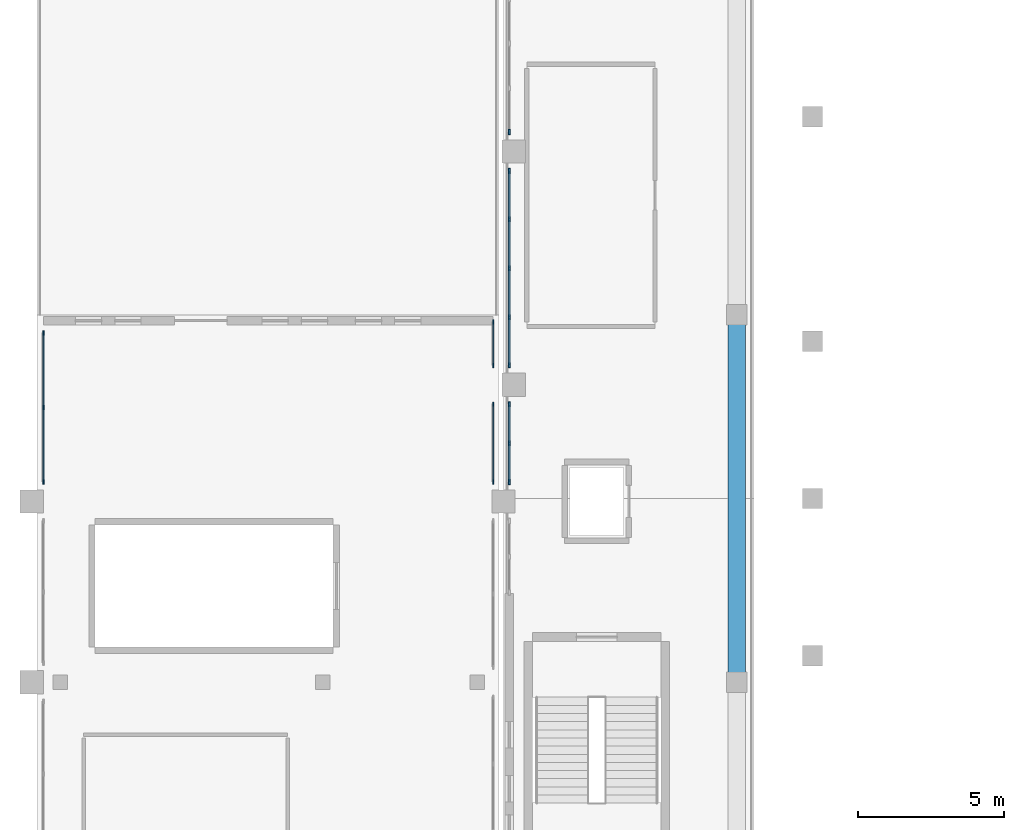
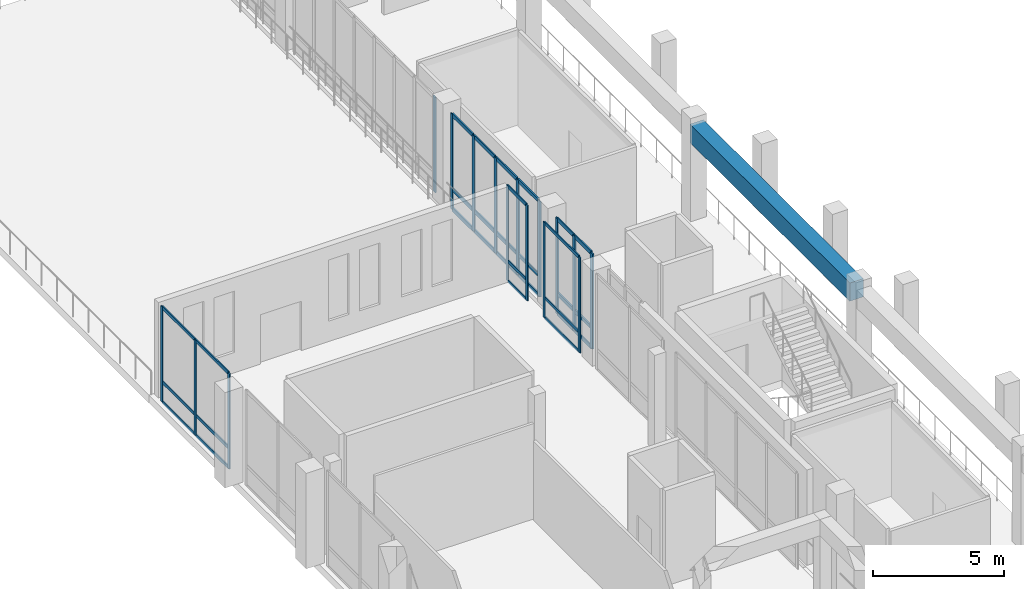
# One storey, part 22 of 79: 46 members, 1 beam, 6 elements without a shape of their own.
"""IFC4 building model written with IfcOpenShell, lengths in metres."""

from ifc_helpers import new_model, si_unit, derived_unit, direction, frame, origin, origin_2d, place, context, subcontext, project, spatial, rectangle, extrude, material, layer, layer_set, material_profile, profile_set, type_object, element, aggregate, save


model = new_model("IFC4")

# Units and contexts
model_context = context("Model", 3, precision=1e-05, world=origin(), true_north=direction((0.0, 1.0)))
body_context = subcontext(model_context, "Body", "Model", "MODEL_VIEW")
ifc_project = project(units=[si_unit("LENGTHUNIT", "METRE"), si_unit("AREAUNIT", "SQUARE_METRE"), si_unit("VOLUMEUNIT", "CUBIC_METRE"), si_unit("PLANEANGLEUNIT", "RADIAN"), si_unit("MASSUNIT", "GRAM", prefix="KILO"), derived_unit("THERMALTRANSMITTANCEUNIT", [(si_unit("MASSUNIT", "GRAM", prefix="KILO"), 1), (si_unit("TIMEUNIT", "SECOND"), -3), (si_unit("THERMODYNAMICTEMPERATUREUNIT", "KELVIN"), -1)])], contexts=[model_context])

# Site, building, storey
site_placement = place(None, origin())
site = spatial("IfcSite", under=ifc_project, at=site_placement, CompositionType="ELEMENT")
building_placement = place(site_placement, origin())
building = spatial("IfcBuilding", under=site, at=building_placement, Name="Valcora Ridge Arena", CompositionType="ELEMENT")
storey_placement = place(building_placement, frame((0.0, 0.0, 16.199951171875)))
storey = spatial("IfcBuildingStorey", under=building, at=storey_placement, Name="L03", CompositionType="ELEMENT", Elevation=16.199951171875)

# Beam
ifc_material_1 = material(Name="Concrete C40/50", Category="concrete")
ifc_material_profile_1 = material_profile(ifc_material_1, rectangle(XDim=0.60009765625, YDim=0.85009765625, at=origin_2d()), Name="RC 600x850")
ifc_profile_set_1 = profile_set([ifc_material_profile_1], Name="Concrete C40/50")
beam_type = type_object("IfcBeamType", Name="TY-BEAM-B-RC600-Y", PredefinedType="BEAM", material=ifc_profile_set_1)
beam_placement = place(storey_placement, frame((24.0, 58.0, 4.01513671875), z_axis=(0.0, 1.0, 0.0), x_axis=(-1.0, 0.0, 0.0)))
element("IfcBeam", 1, at=beam_placement, inside=storey, type_object=beam_type, Name="B-RC600-Y BEM-B-RC600-Y-0023", PredefinedType="BEAM", context=body_context, shape_type="SweptSolid", body=[
    extrude(rectangle(XDim=0.60009765625, YDim=0.85009765625, at=origin_2d()), origin(), (0.0, 0.0, 1.0), 12.199951171875),
])

# Curtain wall, members
ifc_material_2 = material(Name="Anodised dark bronze architectural aluminium 6063-T6", Category="aluminium")
ifc_layer_1 = layer(ifc_material_2, 0.14990234375, Name="Anodised dark bronze architectural aluminium 6063-T6")
ifc_layer_set_1 = layer_set([ifc_layer_1], Name="Anodised dark bronze architectural aluminium 6063-T6")
curtain_wall_type_1 = type_object("IfcCurtainWallType", Name="TY-CURTAINWALL-CW-V4-CLUB-052X44", PredefinedType="NOTDEFINED", material=ifc_layer_set_1)
curtain_wall_1_placement = place(storey_placement, origin())
curtain_wall_1 = element("IfcCurtainWall", 2, at=curtain_wall_1_placement, inside=storey, type_object=curtain_wall_type_1, Name="CW-V4-CLUB-052X44 CW-0292", PredefinedType="NOTDEFINED")
ifc_material_profile_2 = material_profile(ifc_material_2, rectangle(XDim=0.050048828125, YDim=0.14990234375, at=origin_2d()), Name="ALU MULLION 50x150")
ifc_profile_set_2 = profile_set([ifc_material_profile_2], Name="Anodised dark bronze architectural aluminium 6063-T6")
member_type_1 = type_object("IfcMemberType", Name="TY-MEM-CWM-50x150", PredefinedType="MULLION", material=ifc_profile_set_2)
member_1_placement = place(storey_placement, frame((0.219970703125, 64.6650390625, 0.0), z_axis=(0.0, 0.0, 1.0), x_axis=(-1.0, 0.0, 0.0)))
member_1 = element("IfcMember", 3, at=member_1_placement, type_object=member_type_1, Name="CW-0292/CWM-50x150/M00", PredefinedType="MULLION", context=body_context, shape_type="SweptSolid", body=[
    extrude(rectangle(XDim=0.050048828125, YDim=0.14990234375, at=origin_2d()), origin(), (0.0, 0.0, 1.0), 4.43994140625),
])
member_2_placement = place(storey_placement, frame((0.219970703125, 67.219970703125, 0.0), z_axis=(0.0, 0.0, 1.0), x_axis=(-1.0, 0.0, 0.0)))
member_2 = element("IfcMember", 4, at=member_2_placement, type_object=member_type_1, Name="CW-0292/CWM-50x150/M01", PredefinedType="MULLION", context=body_context, shape_type="SweptSolid", body=[
    extrude(rectangle(XDim=0.050048828125, YDim=0.14990234375, at=origin_2d()), origin(), (0.0, 0.0, 1.0), 4.43994140625),
])
member_3_placement = place(storey_placement, frame((0.219970703125, 69.77490234375, 0.0), z_axis=(0.0, 0.0, 1.0), x_axis=(-1.0, 0.0, 0.0)))
member_3 = element("IfcMember", 5, at=member_3_placement, type_object=member_type_1, Name="CW-0292/CWM-50x150/M02", PredefinedType="MULLION", context=body_context, shape_type="SweptSolid", body=[
    extrude(rectangle(XDim=0.050048828125, YDim=0.14990234375, at=origin_2d()), origin(), (0.0, 0.0, 1.0), 4.43994140625),
])

ifc_layer_2 = layer(ifc_material_2, 0.14990234375, Name="Anodised dark bronze architectural aluminium 6063-T6")
ifc_layer_set_2 = layer_set([ifc_layer_2], Name="Anodised dark bronze architectural aluminium 6063-T6")
curtain_wall_type_2 = type_object("IfcCurtainWallType", Name="TY-CURTAINWALL-CW-V4-CLUB-027X44", PredefinedType="NOTDEFINED", material=ifc_layer_set_2)
curtain_wall_2_placement = place(storey_placement, origin())
curtain_wall_2 = element("IfcCurtainWall", 6, at=curtain_wall_2_placement, inside=storey, type_object=curtain_wall_type_2, Name="CW-V4-CLUB-027X44 CW-0295", PredefinedType="NOTDEFINED")
member_4_placement = place(storey_placement, frame((15.64990234375, 64.6650390625, 0.0), z_axis=(0.0, 0.0, 1.0), x_axis=(-1.0, 0.0, 0.0)))
member_4 = element("IfcMember", 7, at=member_4_placement, type_object=member_type_1, Name="CW-0295/CWM-50x150/M00", PredefinedType="MULLION", context=body_context, shape_type="SweptSolid", body=[
    extrude(rectangle(XDim=0.050048828125, YDim=0.14990234375, at=origin_2d()), origin(), (0.0, 0.0, 1.0), 4.43994140625),
])
member_5_placement = place(storey_placement, frame((15.64990234375, 67.3349609375, 0.0), z_axis=(0.0, 0.0, 1.0), x_axis=(-1.0, 0.0, 0.0)))
member_5 = element("IfcMember", 8, at=member_5_placement, type_object=member_type_1, Name="CW-0295/CWM-50x150/M01", PredefinedType="MULLION", context=body_context, shape_type="SweptSolid", body=[
    extrude(rectangle(XDim=0.050048828125, YDim=0.14990234375, at=origin_2d()), origin(), (0.0, 0.0, 1.0), 4.43994140625),
])

ifc_layer_3 = layer(ifc_material_2, 0.14990234375, Name="Anodised dark bronze architectural aluminium 6063-T6")
ifc_layer_set_3 = layer_set([ifc_layer_3], Name="Anodised dark bronze architectural aluminium 6063-T6")
curtain_wall_type_3 = type_object("IfcCurtainWallType", Name="TY-CURTAINWALL-CW-V4-CLUB-015X44", PredefinedType="NOTDEFINED", material=ifc_layer_set_3)
curtain_wall_3_placement = place(storey_placement, origin())
curtain_wall_3 = element("IfcCurtainWall", 9, at=curtain_wall_3_placement, inside=storey, type_object=curtain_wall_type_3, Name="CW-V4-CLUB-015X44 CW-0296", PredefinedType="NOTDEFINED")
member_6_placement = place(storey_placement, frame((15.64990234375, 68.6650390625, 0.0), z_axis=(0.0, 0.0, 1.0), x_axis=(-1.0, 0.0, 0.0)))
member_6 = element("IfcMember", 10, at=member_6_placement, type_object=member_type_1, Name="CW-0296/CWM-50x150/M00", PredefinedType="MULLION", context=body_context, shape_type="SweptSolid", body=[
    extrude(rectangle(XDim=0.050048828125, YDim=0.14990234375, at=origin_2d()), origin(), (0.0, 0.0, 1.0), 4.43994140625),
])
member_7_placement = place(storey_placement, frame((15.64990234375, 70.155029296875, 0.0), z_axis=(0.0, 0.0, 1.0), x_axis=(-1.0, 0.0, 0.0)))
member_7 = element("IfcMember", 11, at=member_7_placement, type_object=member_type_1, Name="CW-0296/CWM-50x150/M01", PredefinedType="MULLION", context=body_context, shape_type="SweptSolid", body=[
    extrude(rectangle(XDim=0.050048828125, YDim=0.14990234375, at=origin_2d()), origin(), (0.0, 0.0, 1.0), 4.43994140625),
])

ifc_layer_4 = layer(ifc_material_2, 0.179931640625, Name="Anodised dark bronze architectural aluminium 6063-T6")
ifc_layer_set_4 = layer_set([ifc_layer_4], Name="Anodised dark bronze architectural aluminium 6063-T6")
curtain_wall_type_4 = type_object("IfcCurtainWallType", Name="TY-CURTAINWALL-CW-V1-GOTH-027X44", PredefinedType="NOTDEFINED", material=ifc_layer_set_4)
curtain_wall_4_placement = place(storey_placement, origin())
curtain_wall_4 = element("IfcCurtainWall", 12, at=curtain_wall_4_placement, inside=storey, type_object=curtain_wall_type_4, Name="CW-V1-GOTH-027X44 CW-0132", PredefinedType="NOTDEFINED")
ifc_material_profile_3 = material_profile(ifc_material_2, rectangle(XDim=0.06005859375, YDim=0.179931640625, at=origin_2d()), Name="ALU MULLION 60x180")
ifc_profile_set_3 = profile_set([ifc_material_profile_3], Name="Anodised dark bronze architectural aluminium 6063-T6")
member_type_2 = type_object("IfcMemberType", Name="TY-MEM-CWM-60x180", PredefinedType="MULLION", material=ifc_profile_set_3)
member_8_placement = place(storey_placement, frame((16.199951171875, 64.669921875, 0.0), z_axis=(0.0, 0.0, 1.0), x_axis=(-1.0, 0.0, 0.0)))
member_8 = element("IfcMember", 13, at=member_8_placement, type_object=member_type_2, Name="CW-0132/CWM-60x180/M00", PredefinedType="MULLION", context=body_context, shape_type="SweptSolid", body=[
    extrude(rectangle(XDim=0.06005859375, YDim=0.179931640625, at=origin_2d()), origin(), (0.0, 0.0, 1.0), 4.43994140625),
])
member_9_placement = place(storey_placement, frame((16.199951171875, 66.0, 0.0), z_axis=(0.0, 0.0, 1.0), x_axis=(-1.0, 0.0, 0.0)))
member_9 = element("IfcMember", 14, at=member_9_placement, type_object=member_type_2, Name="CW-0132/CWM-60x180/M01", PredefinedType="MULLION", context=body_context, shape_type="SweptSolid", body=[
    extrude(rectangle(XDim=0.06005859375, YDim=0.179931640625, at=origin_2d()), origin(), (0.0, 0.0, 1.0), 4.43994140625),
])
member_10_placement = place(storey_placement, frame((16.199951171875, 67.330078125, 0.0), z_axis=(0.0, 0.0, 1.0), x_axis=(-1.0, 0.0, 0.0)))
member_10 = element("IfcMember", 15, at=member_10_placement, type_object=member_type_2, Name="CW-0132/CWM-60x180/M02", PredefinedType="MULLION", context=body_context, shape_type="SweptSolid", body=[
    extrude(rectangle(XDim=0.06005859375, YDim=0.179931640625, at=origin_2d()), origin(), (0.0, 0.0, 1.0), 4.43994140625),
])

ifc_layer_5 = layer(ifc_material_2, 0.179931640625, Name="Anodised dark bronze architectural aluminium 6063-T6")
ifc_layer_set_5 = layer_set([ifc_layer_5], Name="Anodised dark bronze architectural aluminium 6063-T6")
curtain_wall_type_5 = type_object("IfcCurtainWallType", Name="TY-CURTAINWALL-CW-V1-GOTH-067X44", PredefinedType="NOTDEFINED", material=ifc_layer_set_5)
curtain_wall_5_placement = place(storey_placement, origin())
curtain_wall_5 = element("IfcCurtainWall", 16, at=curtain_wall_5_placement, inside=storey, type_object=curtain_wall_type_5, Name="CW-V1-GOTH-067X44 CW-0133", PredefinedType="NOTDEFINED")
member_11_placement = place(storey_placement, frame((16.199951171875, 68.669921875, 0.0), z_axis=(0.0, 0.0, 1.0), x_axis=(-1.0, 0.0, 0.0)))
member_11 = element("IfcMember", 17, at=member_11_placement, type_object=member_type_2, Name="CW-0133/CWM-60x180/M00", PredefinedType="MULLION", context=body_context, shape_type="SweptSolid", body=[
    extrude(rectangle(XDim=0.06005859375, YDim=0.179931640625, at=origin_2d()), origin(), (0.0, 0.0, 1.0), 4.43994140625),
])
member_12_placement = place(storey_placement, frame((16.199951171875, 70.320068359375, 0.0), z_axis=(0.0, 0.0, 1.0), x_axis=(-1.0, 0.0, 0.0)))
member_12 = element("IfcMember", 18, at=member_12_placement, type_object=member_type_2, Name="CW-0133/CWM-60x180/M01", PredefinedType="MULLION", context=body_context, shape_type="SweptSolid", body=[
    extrude(rectangle(XDim=0.06005859375, YDim=0.179931640625, at=origin_2d()), origin(), (0.0, 0.0, 1.0), 4.43994140625),
])
member_13_placement = place(storey_placement, frame((16.199951171875, 72.0, 0.0), z_axis=(0.0, 0.0, 1.0), x_axis=(-1.0, 0.0, 0.0)))
member_13 = element("IfcMember", 19, at=member_13_placement, type_object=member_type_2, Name="CW-0133/CWM-60x180/M02", PredefinedType="MULLION", context=body_context, shape_type="SweptSolid", body=[
    extrude(rectangle(XDim=0.06005859375, YDim=0.179931640625, at=origin_2d()), origin(), (0.0, 0.0, 1.0), 4.43994140625),
])
member_14_placement = place(storey_placement, frame((16.199951171875, 73.679931640625, 0.0), z_axis=(0.0, 0.0, 1.0), x_axis=(-1.0, 0.0, 0.0)))
member_14 = element("IfcMember", 20, at=member_14_placement, type_object=member_type_2, Name="CW-0133/CWM-60x180/M03", PredefinedType="MULLION", context=body_context, shape_type="SweptSolid", body=[
    extrude(rectangle(XDim=0.06005859375, YDim=0.179931640625, at=origin_2d()), origin(), (0.0, 0.0, 1.0), 4.43994140625),
])
member_15_placement = place(storey_placement, frame((16.199951171875, 75.330078125, 0.0), z_axis=(0.0, 0.0, 1.0), x_axis=(-1.0, 0.0, 0.0)))
member_15 = element("IfcMember", 21, at=member_15_placement, type_object=member_type_2, Name="CW-0133/CWM-60x180/M04", PredefinedType="MULLION", context=body_context, shape_type="SweptSolid", body=[
    extrude(rectangle(XDim=0.06005859375, YDim=0.179931640625, at=origin_2d()), origin(), (0.0, 0.0, 1.0), 4.43994140625),
])

# Curtain wall, member
ifc_layer_6 = layer(ifc_material_2, 0.179931640625, Name="Anodised dark bronze architectural aluminium 6063-T6")
ifc_layer_set_6 = layer_set([ifc_layer_6], Name="Anodised dark bronze architectural aluminium 6063-T6")
curtain_wall_type_6 = type_object("IfcCurtainWallType", Name="TY-CURTAINWALL-CW-V1-GOTH-107X44", PredefinedType="NOTDEFINED", material=ifc_layer_set_6)
curtain_wall_6_placement = place(storey_placement, origin())
curtain_wall_6 = element("IfcCurtainWall", 22, at=curtain_wall_6_placement, inside=storey, type_object=curtain_wall_type_6, Name="CW-V1-GOTH-107X44 CW-0134", PredefinedType="NOTDEFINED")
member_16_placement = place(storey_placement, frame((16.199951171875, 76.669921875, 0.0), z_axis=(0.0, 0.0, 1.0), x_axis=(-1.0, 0.0, 0.0)))
member_16 = element("IfcMember", 23, at=member_16_placement, type_object=member_type_2, Name="CW-0134/CWM-60x180/M00", PredefinedType="MULLION", context=body_context, shape_type="SweptSolid", body=[
    extrude(rectangle(XDim=0.06005859375, YDim=0.179931640625, at=origin_2d()), origin(), (0.0, 0.0, 1.0), 4.43994140625),
])
aggregate(curtain_wall_6, [member_16])

# Member
ifc_material_profile_4 = material_profile(ifc_material_2, rectangle(XDim=0.050048828125, YDim=0.14990234375, at=origin_2d()), Name="ALU TRANSOM 50x150")
ifc_profile_set_4 = profile_set([ifc_material_profile_4], Name="Anodised dark bronze architectural aluminium 6063-T6")
member_type_3 = type_object("IfcMemberType", Name="TY-MEM-CWT-50x150", PredefinedType="USERDEFINED", material=ifc_profile_set_4)
member_17_placement = place(storey_placement, frame((0.219970703125, 64.68994140625, 0.025146484375), z_axis=(0.0, 1.0, 0.0), x_axis=(-1.0, 0.0, 0.0)))
member_17 = element("IfcMember", 24, at=member_17_placement, type_object=member_type_3, Name="CW-0292/CWT-50x150/T00-00", ObjectType="TRANSOM", PredefinedType="USERDEFINED", context=body_context, shape_type="SweptSolid", body=[
    extrude(rectangle(XDim=0.050048828125, YDim=0.14990234375, at=origin_2d()), origin(), (0.0, 0.0, 1.0), 2.505126953125),
])

member_18_placement = place(storey_placement, frame((0.219970703125, 64.68994140625, 0.949951171875), z_axis=(0.0, 1.0, 0.0), x_axis=(-1.0, 0.0, 0.0)))
member_18 = element("IfcMember", 25, at=member_18_placement, type_object=member_type_3, Name="CW-0292/CWT-50x150/T00-01", ObjectType="TRANSOM", PredefinedType="USERDEFINED", context=body_context, shape_type="SweptSolid", body=[
    extrude(rectangle(XDim=0.050048828125, YDim=0.14990234375, at=origin_2d()), origin(), (0.0, 0.0, 1.0), 2.505126953125),
])

member_19_placement = place(storey_placement, frame((0.219970703125, 64.68994140625, 4.4150390625), z_axis=(0.0, 1.0, 0.0), x_axis=(-1.0, 0.0, 0.0)))
member_19 = element("IfcMember", 26, at=member_19_placement, type_object=member_type_3, Name="CW-0292/CWT-50x150/T00-02", ObjectType="TRANSOM", PredefinedType="USERDEFINED", context=body_context, shape_type="SweptSolid", body=[
    extrude(rectangle(XDim=0.050048828125, YDim=0.14990234375, at=origin_2d()), origin(), (0.0, 0.0, 1.0), 2.505126953125),
])

member_20_placement = place(storey_placement, frame((0.219970703125, 67.2451171875, 0.025146484375), z_axis=(0.0, 1.0, 0.0), x_axis=(-1.0, 0.0, 0.0)))
member_20 = element("IfcMember", 27, at=member_20_placement, type_object=member_type_3, Name="CW-0292/CWT-50x150/T01-00", ObjectType="TRANSOM", PredefinedType="USERDEFINED", context=body_context, shape_type="SweptSolid", body=[
    extrude(rectangle(XDim=0.050048828125, YDim=0.14990234375, at=origin_2d()), origin(), (0.0, 0.0, 1.0), 2.5048828125),
])

member_21_placement = place(storey_placement, frame((0.219970703125, 67.2451171875, 0.949951171875), z_axis=(0.0, 1.0, 0.0), x_axis=(-1.0, 0.0, 0.0)))
member_21 = element("IfcMember", 28, at=member_21_placement, type_object=member_type_3, Name="CW-0292/CWT-50x150/T01-01", ObjectType="TRANSOM", PredefinedType="USERDEFINED", context=body_context, shape_type="SweptSolid", body=[
    extrude(rectangle(XDim=0.050048828125, YDim=0.14990234375, at=origin_2d()), origin(), (0.0, 0.0, 1.0), 2.5048828125),
])

member_22_placement = place(storey_placement, frame((0.219970703125, 67.2451171875, 4.4150390625), z_axis=(0.0, 1.0, 0.0), x_axis=(-1.0, 0.0, 0.0)))
member_22 = element("IfcMember", 29, at=member_22_placement, type_object=member_type_3, Name="CW-0292/CWT-50x150/T01-02", ObjectType="TRANSOM", PredefinedType="USERDEFINED", context=body_context, shape_type="SweptSolid", body=[
    extrude(rectangle(XDim=0.050048828125, YDim=0.14990234375, at=origin_2d()), origin(), (0.0, 0.0, 1.0), 2.5048828125),
])

aggregate(curtain_wall_1, [member_1, member_2, member_3, member_17, member_18, member_19, member_20, member_21, member_22])

member_23_placement = place(storey_placement, frame((15.64990234375, 64.68994140625, 0.025146484375), z_axis=(0.0, 1.0, 0.0), x_axis=(-1.0, 0.0, 0.0)))
member_23 = element("IfcMember", 30, at=member_23_placement, type_object=member_type_3, Name="CW-0295/CWT-50x150/T00-00", ObjectType="TRANSOM", PredefinedType="USERDEFINED", context=body_context, shape_type="SweptSolid", body=[
    extrude(rectangle(XDim=0.050048828125, YDim=0.14990234375, at=origin_2d()), origin(), (0.0, 0.0, 1.0), 2.6201171875),
])

member_24_placement = place(storey_placement, frame((15.64990234375, 64.68994140625, 0.949951171875), z_axis=(0.0, 1.0, 0.0), x_axis=(-1.0, 0.0, 0.0)))
member_24 = element("IfcMember", 31, at=member_24_placement, type_object=member_type_3, Name="CW-0295/CWT-50x150/T00-01", ObjectType="TRANSOM", PredefinedType="USERDEFINED", context=body_context, shape_type="SweptSolid", body=[
    extrude(rectangle(XDim=0.050048828125, YDim=0.14990234375, at=origin_2d()), origin(), (0.0, 0.0, 1.0), 2.6201171875),
])

member_25_placement = place(storey_placement, frame((15.64990234375, 64.68994140625, 4.4150390625), z_axis=(0.0, 1.0, 0.0), x_axis=(-1.0, 0.0, 0.0)))
member_25 = element("IfcMember", 32, at=member_25_placement, type_object=member_type_3, Name="CW-0295/CWT-50x150/T00-02", ObjectType="TRANSOM", PredefinedType="USERDEFINED", context=body_context, shape_type="SweptSolid", body=[
    extrude(rectangle(XDim=0.050048828125, YDim=0.14990234375, at=origin_2d()), origin(), (0.0, 0.0, 1.0), 2.6201171875),
])

aggregate(curtain_wall_2, [member_4, member_5, member_23, member_24, member_25])

member_26_placement = place(storey_placement, frame((15.64990234375, 68.68994140625, 0.025146484375), z_axis=(0.0, 1.0, 0.0), x_axis=(-1.0, 0.0, 0.0)))
member_26 = element("IfcMember", 33, at=member_26_placement, type_object=member_type_3, Name="CW-0296/CWT-50x150/T00-00", ObjectType="TRANSOM", PredefinedType="USERDEFINED", context=body_context, shape_type="SweptSolid", body=[
    extrude(rectangle(XDim=0.050048828125, YDim=0.14990234375, at=origin_2d()), origin(), (0.0, 0.0, 1.0), 1.43994140625),
])

member_27_placement = place(storey_placement, frame((15.64990234375, 68.68994140625, 0.949951171875), z_axis=(0.0, 1.0, 0.0), x_axis=(-1.0, 0.0, 0.0)))
member_27 = element("IfcMember", 34, at=member_27_placement, type_object=member_type_3, Name="CW-0296/CWT-50x150/T00-01", ObjectType="TRANSOM", PredefinedType="USERDEFINED", context=body_context, shape_type="SweptSolid", body=[
    extrude(rectangle(XDim=0.050048828125, YDim=0.14990234375, at=origin_2d()), origin(), (0.0, 0.0, 1.0), 1.43994140625),
])

member_28_placement = place(storey_placement, frame((15.64990234375, 68.68994140625, 4.4150390625), z_axis=(0.0, 1.0, 0.0), x_axis=(-1.0, 0.0, 0.0)))
member_28 = element("IfcMember", 35, at=member_28_placement, type_object=member_type_3, Name="CW-0296/CWT-50x150/T00-02", ObjectType="TRANSOM", PredefinedType="USERDEFINED", context=body_context, shape_type="SweptSolid", body=[
    extrude(rectangle(XDim=0.050048828125, YDim=0.14990234375, at=origin_2d()), origin(), (0.0, 0.0, 1.0), 1.43994140625),
])

aggregate(curtain_wall_3, [member_6, member_7, member_26, member_27, member_28])

ifc_material_profile_5 = material_profile(ifc_material_2, rectangle(XDim=0.06005859375, YDim=0.179931640625, at=origin_2d()), Name="ALU TRANSOM 60x180")
ifc_profile_set_5 = profile_set([ifc_material_profile_5], Name="Anodised dark bronze architectural aluminium 6063-T6")
member_type_4 = type_object("IfcMemberType", Name="TY-MEM-CWT-60x180", PredefinedType="USERDEFINED", material=ifc_profile_set_5)
member_29_placement = place(storey_placement, frame((16.199951171875, 64.699951171875, 0.030029296875), z_axis=(0.0, 1.0, 0.0), x_axis=(-1.0, 0.0, 0.0)))
member_29 = element("IfcMember", 36, at=member_29_placement, type_object=member_type_4, Name="CW-0132/CWT-60x180/T00-00", ObjectType="TRANSOM", PredefinedType="USERDEFINED", context=body_context, shape_type="SweptSolid", body=[
    extrude(rectangle(XDim=0.06005859375, YDim=0.179931640625, at=origin_2d()), origin(), (0.0, 0.0, 1.0), 1.27001953125),
])

member_30_placement = place(storey_placement, frame((16.199951171875, 64.699951171875, 0.949951171875), z_axis=(0.0, 1.0, 0.0), x_axis=(-1.0, 0.0, 0.0)))
member_30 = element("IfcMember", 37, at=member_30_placement, type_object=member_type_4, Name="CW-0132/CWT-60x180/T00-01", ObjectType="TRANSOM", PredefinedType="USERDEFINED", context=body_context, shape_type="SweptSolid", body=[
    extrude(rectangle(XDim=0.06005859375, YDim=0.179931640625, at=origin_2d()), origin(), (0.0, 0.0, 1.0), 1.27001953125),
])

member_31_placement = place(storey_placement, frame((16.199951171875, 64.699951171875, 4.41015625), z_axis=(0.0, 1.0, 0.0), x_axis=(-1.0, 0.0, 0.0)))
member_31 = element("IfcMember", 38, at=member_31_placement, type_object=member_type_4, Name="CW-0132/CWT-60x180/T00-02", ObjectType="TRANSOM", PredefinedType="USERDEFINED", context=body_context, shape_type="SweptSolid", body=[
    extrude(rectangle(XDim=0.06005859375, YDim=0.179931640625, at=origin_2d()), origin(), (0.0, 0.0, 1.0), 1.27001953125),
])

member_32_placement = place(storey_placement, frame((16.199951171875, 66.030029296875, 0.030029296875), z_axis=(0.0, 1.0, 0.0), x_axis=(-1.0, 0.0, 0.0)))
member_32 = element("IfcMember", 39, at=member_32_placement, type_object=member_type_4, Name="CW-0132/CWT-60x180/T01-00", ObjectType="TRANSOM", PredefinedType="USERDEFINED", context=body_context, shape_type="SweptSolid", body=[
    extrude(rectangle(XDim=0.06005859375, YDim=0.179931640625, at=origin_2d()), origin(), (0.0, 0.0, 1.0), 1.27001953125),
])

member_33_placement = place(storey_placement, frame((16.199951171875, 66.030029296875, 0.949951171875), z_axis=(0.0, 1.0, 0.0), x_axis=(-1.0, 0.0, 0.0)))
member_33 = element("IfcMember", 40, at=member_33_placement, type_object=member_type_4, Name="CW-0132/CWT-60x180/T01-01", ObjectType="TRANSOM", PredefinedType="USERDEFINED", context=body_context, shape_type="SweptSolid", body=[
    extrude(rectangle(XDim=0.06005859375, YDim=0.179931640625, at=origin_2d()), origin(), (0.0, 0.0, 1.0), 1.27001953125),
])

member_34_placement = place(storey_placement, frame((16.199951171875, 66.030029296875, 4.41015625), z_axis=(0.0, 1.0, 0.0), x_axis=(-1.0, 0.0, 0.0)))
member_34 = element("IfcMember", 41, at=member_34_placement, type_object=member_type_4, Name="CW-0132/CWT-60x180/T01-02", ObjectType="TRANSOM", PredefinedType="USERDEFINED", context=body_context, shape_type="SweptSolid", body=[
    extrude(rectangle(XDim=0.06005859375, YDim=0.179931640625, at=origin_2d()), origin(), (0.0, 0.0, 1.0), 1.27001953125),
])

aggregate(curtain_wall_4, [member_8, member_9, member_10, member_29, member_30, member_31, member_32, member_33, member_34])

member_35_placement = place(storey_placement, frame((16.199951171875, 68.699951171875, 0.030029296875), z_axis=(0.0, 1.0, 0.0), x_axis=(-1.0, 0.0, 0.0)))
member_35 = element("IfcMember", 42, at=member_35_placement, type_object=member_type_4, Name="CW-0133/CWT-60x180/T00-00", ObjectType="TRANSOM", PredefinedType="USERDEFINED", context=body_context, shape_type="SweptSolid", body=[
    extrude(rectangle(XDim=0.06005859375, YDim=0.179931640625, at=origin_2d()), origin(), (0.0, 0.0, 1.0), 1.590087890625),
])

member_36_placement = place(storey_placement, frame((16.199951171875, 68.699951171875, 0.949951171875), z_axis=(0.0, 1.0, 0.0), x_axis=(-1.0, 0.0, 0.0)))
member_36 = element("IfcMember", 43, at=member_36_placement, type_object=member_type_4, Name="CW-0133/CWT-60x180/T00-01", ObjectType="TRANSOM", PredefinedType="USERDEFINED", context=body_context, shape_type="SweptSolid", body=[
    extrude(rectangle(XDim=0.06005859375, YDim=0.179931640625, at=origin_2d()), origin(), (0.0, 0.0, 1.0), 1.590087890625),
])

member_37_placement = place(storey_placement, frame((16.199951171875, 68.699951171875, 4.41015625), z_axis=(0.0, 1.0, 0.0), x_axis=(-1.0, 0.0, 0.0)))
member_37 = element("IfcMember", 44, at=member_37_placement, type_object=member_type_4, Name="CW-0133/CWT-60x180/T00-02", ObjectType="TRANSOM", PredefinedType="USERDEFINED", context=body_context, shape_type="SweptSolid", body=[
    extrude(rectangle(XDim=0.06005859375, YDim=0.179931640625, at=origin_2d()), origin(), (0.0, 0.0, 1.0), 1.590087890625),
])

member_38_placement = place(storey_placement, frame((16.199951171875, 70.35009765625, 0.030029296875), z_axis=(0.0, 1.0, 0.0), x_axis=(-1.0, 0.0, 0.0)))
member_38 = element("IfcMember", 45, at=member_38_placement, type_object=member_type_4, Name="CW-0133/CWT-60x180/T01-00", ObjectType="TRANSOM", PredefinedType="USERDEFINED", context=body_context, shape_type="SweptSolid", body=[
    extrude(rectangle(XDim=0.06005859375, YDim=0.179931640625, at=origin_2d()), origin(), (0.0, 0.0, 1.0), 1.619873046875),
])

member_39_placement = place(storey_placement, frame((16.199951171875, 70.35009765625, 0.949951171875), z_axis=(0.0, 1.0, 0.0), x_axis=(-1.0, 0.0, 0.0)))
member_39 = element("IfcMember", 46, at=member_39_placement, type_object=member_type_4, Name="CW-0133/CWT-60x180/T01-01", ObjectType="TRANSOM", PredefinedType="USERDEFINED", context=body_context, shape_type="SweptSolid", body=[
    extrude(rectangle(XDim=0.06005859375, YDim=0.179931640625, at=origin_2d()), origin(), (0.0, 0.0, 1.0), 1.619873046875),
])

member_40_placement = place(storey_placement, frame((16.199951171875, 70.35009765625, 4.41015625), z_axis=(0.0, 1.0, 0.0), x_axis=(-1.0, 0.0, 0.0)))
member_40 = element("IfcMember", 47, at=member_40_placement, type_object=member_type_4, Name="CW-0133/CWT-60x180/T01-02", ObjectType="TRANSOM", PredefinedType="USERDEFINED", context=body_context, shape_type="SweptSolid", body=[
    extrude(rectangle(XDim=0.06005859375, YDim=0.179931640625, at=origin_2d()), origin(), (0.0, 0.0, 1.0), 1.619873046875),
])

member_41_placement = place(storey_placement, frame((16.199951171875, 72.030029296875, 0.030029296875), z_axis=(0.0, 1.0, 0.0), x_axis=(-1.0, 0.0, 0.0)))
member_41 = element("IfcMember", 48, at=member_41_placement, type_object=member_type_4, Name="CW-0133/CWT-60x180/T02-00", ObjectType="TRANSOM", PredefinedType="USERDEFINED", context=body_context, shape_type="SweptSolid", body=[
    extrude(rectangle(XDim=0.06005859375, YDim=0.179931640625, at=origin_2d()), origin(), (0.0, 0.0, 1.0), 1.619873046875),
])

member_42_placement = place(storey_placement, frame((16.199951171875, 72.030029296875, 0.949951171875), z_axis=(0.0, 1.0, 0.0), x_axis=(-1.0, 0.0, 0.0)))
member_42 = element("IfcMember", 49, at=member_42_placement, type_object=member_type_4, Name="CW-0133/CWT-60x180/T02-01", ObjectType="TRANSOM", PredefinedType="USERDEFINED", context=body_context, shape_type="SweptSolid", body=[
    extrude(rectangle(XDim=0.06005859375, YDim=0.179931640625, at=origin_2d()), origin(), (0.0, 0.0, 1.0), 1.619873046875),
])

member_43_placement = place(storey_placement, frame((16.199951171875, 72.030029296875, 4.41015625), z_axis=(0.0, 1.0, 0.0), x_axis=(-1.0, 0.0, 0.0)))
member_43 = element("IfcMember", 50, at=member_43_placement, type_object=member_type_4, Name="CW-0133/CWT-60x180/T02-02", ObjectType="TRANSOM", PredefinedType="USERDEFINED", context=body_context, shape_type="SweptSolid", body=[
    extrude(rectangle(XDim=0.06005859375, YDim=0.179931640625, at=origin_2d()), origin(), (0.0, 0.0, 1.0), 1.619873046875),
])

member_44_placement = place(storey_placement, frame((16.199951171875, 73.7099609375, 0.030029296875), z_axis=(0.0, 1.0, 0.0), x_axis=(-1.0, 0.0, 0.0)))
member_44 = element("IfcMember", 51, at=member_44_placement, type_object=member_type_4, Name="CW-0133/CWT-60x180/T03-00", ObjectType="TRANSOM", PredefinedType="USERDEFINED", context=body_context, shape_type="SweptSolid", body=[
    extrude(rectangle(XDim=0.06005859375, YDim=0.179931640625, at=origin_2d()), origin(), (0.0, 0.0, 1.0), 1.590087890625),
])

member_45_placement = place(storey_placement, frame((16.199951171875, 73.7099609375, 0.949951171875), z_axis=(0.0, 1.0, 0.0), x_axis=(-1.0, 0.0, 0.0)))
member_45 = element("IfcMember", 52, at=member_45_placement, type_object=member_type_4, Name="CW-0133/CWT-60x180/T03-01", ObjectType="TRANSOM", PredefinedType="USERDEFINED", context=body_context, shape_type="SweptSolid", body=[
    extrude(rectangle(XDim=0.06005859375, YDim=0.179931640625, at=origin_2d()), origin(), (0.0, 0.0, 1.0), 1.590087890625),
])

member_46_placement = place(storey_placement, frame((16.199951171875, 73.7099609375, 4.41015625), z_axis=(0.0, 1.0, 0.0), x_axis=(-1.0, 0.0, 0.0)))
member_46 = element("IfcMember", 53, at=member_46_placement, type_object=member_type_4, Name="CW-0133/CWT-60x180/T03-02", ObjectType="TRANSOM", PredefinedType="USERDEFINED", context=body_context, shape_type="SweptSolid", body=[
    extrude(rectangle(XDim=0.06005859375, YDim=0.179931640625, at=origin_2d()), origin(), (0.0, 0.0, 1.0), 1.590087890625),
])

aggregate(curtain_wall_5, [member_11, member_12, member_13, member_14, member_15, member_35, member_36, member_37, member_38, member_39, member_40, member_41, member_42, member_43, member_44, member_45, member_46])

save(model, "model.ifc")
